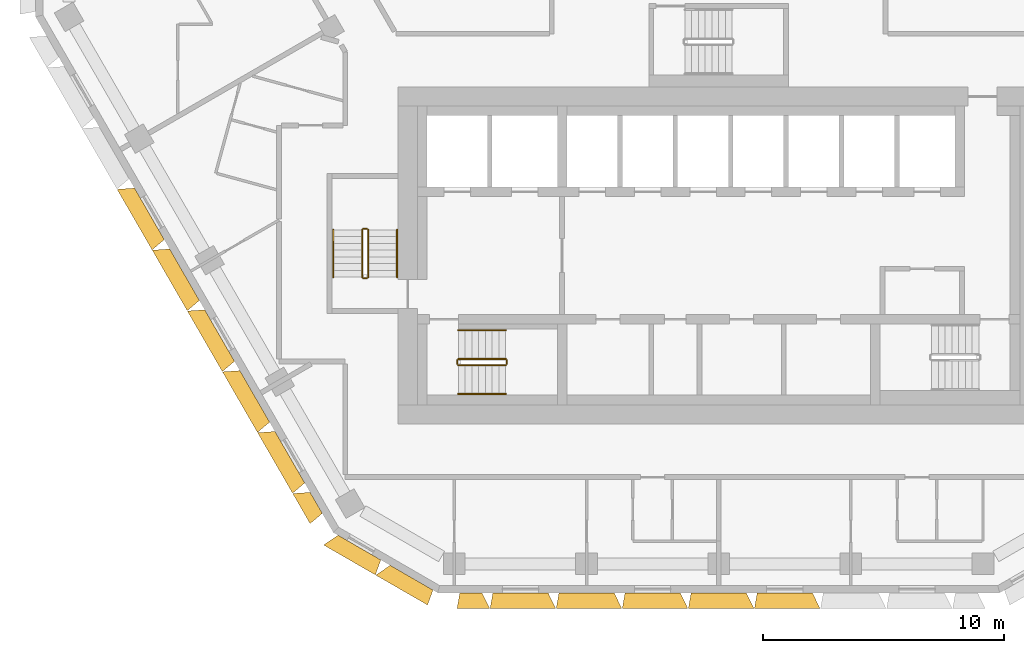
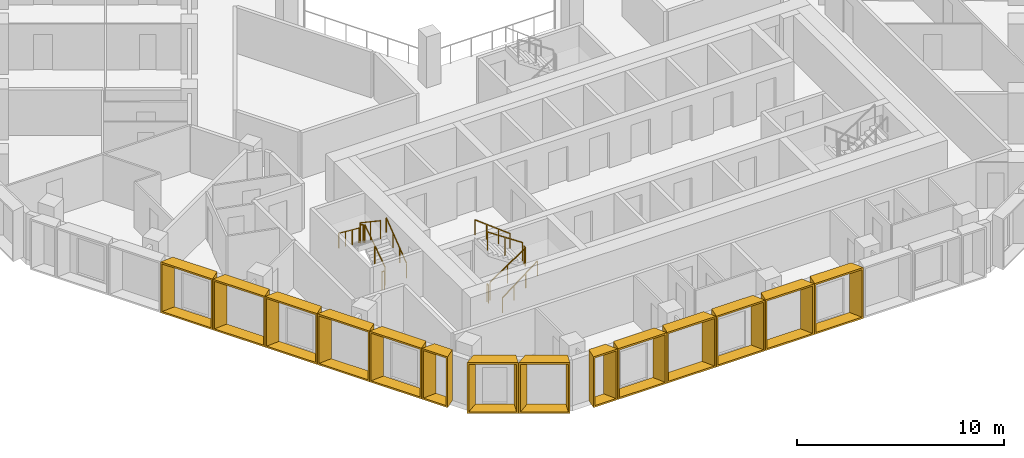
# One storey, part 12 of 15: 14 shading devices, 12 railings.
"""IFC4 building model written with IfcOpenShell, lengths in metres."""

from ifc_helpers import new_model, entity, si_unit, direction, frame, origin, origin_2d, place, context, subcontext, project, spatial, rectangle, extrude, source, transform, mapped, material, type_object, type_shapes, element, save


model = new_model("IFC4")

# Units and contexts
model_context = context("Model", 3, precision=1e-05, world=origin(), true_north=direction((0.0, 1.0)))
body_context = subcontext(model_context, "Body", "Model", "MODEL_VIEW")
ifc_project = project(units=[si_unit("LENGTHUNIT", "METRE"), si_unit("AREAUNIT", "SQUARE_METRE"), si_unit("VOLUMEUNIT", "CUBIC_METRE"), si_unit("PLANEANGLEUNIT", "RADIAN"), si_unit("MASSUNIT", "GRAM", prefix="KILO")], contexts=[model_context])

# Site, building, storey
site_placement = place(None, origin())
site = spatial("IfcSite", under=ifc_project, at=site_placement, CompositionType="ELEMENT")
building_placement = place(site_placement, origin())
building = spatial("IfcBuilding", under=site, at=building_placement, Name="Beryl Residences", CompositionType="ELEMENT")
storey_placement = place(building_placement, frame((0.0, 0.0, 129.60009765625)))
storey = spatial("IfcBuildingStorey", under=building, at=storey_placement, Name="L39", CompositionType="ELEMENT", Elevation=129.60009765625)

# Shading devices
ifc_material_1 = material(Name="Aluminium pale anodised", Category="aluminium")
shading_device_type_1 = type_object("IfcShadingDeviceType", Name="FR137-65C OUTER SKIN frame 650 mm deep, splay 10/26 deg, 1370 x 3000 mm cell", PredefinedType="USERDEFINED", material=ifc_material_1)
cartesian_point_1 = entity("IfcCartesianPoint", [-0.458984375, 0.0])
cartesian_point_2 = entity("IfcCartesianPoint", [-0.377685546875, 0.10009765625])
cartesian_point_3 = entity("IfcCartesianPoint", [-0.57373046875, 0.0])
cartesian_point_4 = entity("IfcCartesianPoint", [-0.492431640625, 0.10009765625])
shared_shape_1 = source(origin(), body_context, "Body", "SweptSolid", [
    entity("IfcExtrudedAreaSolidTapered", entity("IfcArbitraryProfileDefWithVoids", "AREA", None, entity("IfcPolyline", [cartesian_point_1, entity("IfcCartesianPoint", [0.458984375, 0.0]), entity("IfcCartesianPoint", [0.458984375, 3.0]), entity("IfcCartesianPoint", [-0.458984375, 3.0]), cartesian_point_1]), [entity("IfcPolyline", [cartesian_point_2, entity("IfcCartesianPoint", [0.369873046875, 0.10009765625]), entity("IfcCartesianPoint", [0.369873046875, 2.89990234375]), entity("IfcCartesianPoint", [-0.377685546875, 2.89990234375]), cartesian_point_2])]), entity("IfcAxis2Placement3D", entity("IfcCartesianPoint", [0.0, 0.0, 0.0]), entity("IfcDirection", [0.0, 1.0, 0.0]), entity("IfcDirection", [-1.0, 0.0, 0.0])), entity("IfcDirection", [0.0, 0.0, 1.0]), 0.64990234375, entity("IfcArbitraryProfileDefWithVoids", "AREA", None, entity("IfcPolyline", [cartesian_point_3, entity("IfcCartesianPoint", [0.776123046875, 0.0]), entity("IfcCartesianPoint", [0.776123046875, 3.0]), entity("IfcCartesianPoint", [-0.57373046875, 3.0]), cartesian_point_3]), [entity("IfcPolyline", [cartesian_point_4, entity("IfcCartesianPoint", [0.68701171875, 0.10009765625]), entity("IfcCartesianPoint", [0.68701171875, 2.89990234375]), entity("IfcCartesianPoint", [-0.492431640625, 2.89990234375]), cartesian_point_4])])),
])
type_shapes(shading_device_type_1, [shared_shape_1])
shading_device_1_placement = place(storey_placement, frame((-10.282958984375, -26.0, 0.0), z_axis=(0.0, 0.0, 1.0), x_axis=(-1.0, 0.0, 0.0)))
element("IfcShadingDevice", 1, at=shading_device_1_placement, inside=storey, type_object=shading_device_type_1, Name="FR137-65C frame L39 S 1", ObjectType="OUTER SKIN", PredefinedType="USERDEFINED", context=body_context, shape_type="MappedRepresentation", body=[
    mapped(shared_shape_1, transform((0.0, 0.0, 0.0))),
])
ifc_material_2 = material(Name="Aluminium pale anodised", Category="aluminium")
shading_device_type_2 = type_object("IfcShadingDeviceType", Name="FR146-65B OUTER SKIN frame 650 mm deep, splay 26/10 deg, 1460 x 3000 mm cell", PredefinedType="USERDEFINED", material=ifc_material_2)
cartesian_point_5 = entity("IfcCartesianPoint", [-0.50390625, 0.0])
cartesian_point_6 = entity("IfcCartesianPoint", [-0.4150390625, 0.10009765625])
cartesian_point_7 = entity("IfcCartesianPoint", [-0.821044921875, 0.0])
cartesian_point_8 = entity("IfcCartesianPoint", [-0.73193359375, 0.10009765625])
shared_shape_2 = source(origin(), body_context, "Body", "SweptSolid", [
    entity("IfcExtrudedAreaSolidTapered", entity("IfcArbitraryProfileDefWithVoids", "AREA", None, entity("IfcPolyline", [cartesian_point_5, entity("IfcCartesianPoint", [0.50390625, 0.0]), entity("IfcCartesianPoint", [0.50390625, 3.0]), entity("IfcCartesianPoint", [-0.50390625, 3.0]), cartesian_point_5]), [entity("IfcPolyline", [cartesian_point_6, entity("IfcCartesianPoint", [0.4228515625, 0.10009765625]), entity("IfcCartesianPoint", [0.4228515625, 2.89990234375]), entity("IfcCartesianPoint", [-0.4150390625, 2.89990234375]), cartesian_point_6])]), entity("IfcAxis2Placement3D", entity("IfcCartesianPoint", [0.0, 0.0, 0.0]), entity("IfcDirection", [0.0, 1.0, 0.0]), entity("IfcDirection", [-1.0, 0.0, 0.0])), entity("IfcDirection", [0.0, 0.0, 1.0]), 0.64990234375, entity("IfcArbitraryProfileDefWithVoids", "AREA", None, entity("IfcPolyline", [cartesian_point_7, entity("IfcCartesianPoint", [0.61865234375, 0.0]), entity("IfcCartesianPoint", [0.61865234375, 3.0]), entity("IfcCartesianPoint", [-0.821044921875, 3.0]), cartesian_point_7]), [entity("IfcPolyline", [cartesian_point_8, entity("IfcCartesianPoint", [0.537353515625, 0.10009765625]), entity("IfcCartesianPoint", [0.537353515625, 2.89990234375]), entity("IfcCartesianPoint", [-0.73193359375, 2.89990234375]), cartesian_point_8])])),
])
type_shapes(shading_device_type_2, [shared_shape_2])
shading_device_2_placement = place(storey_placement, frame((-16.7041015625, -22.26806640625, 0.0), z_axis=(0.0, 0.0, 1.0), x_axis=(-0.5, 0.866025403784, 0.0)))
element("IfcShadingDevice", 2, at=shading_device_2_placement, inside=storey, type_object=shading_device_type_2, Name="FR146-65B frame L39 SW 9", ObjectType="OUTER SKIN", PredefinedType="USERDEFINED", context=body_context, shape_type="MappedRepresentation", body=[
    mapped(shared_shape_2, transform((0.0, 0.0, 0.0))),
])
ifc_material_3 = material(Name="Aluminium pale anodised", Category="aluminium")
shading_device_type_3 = type_object("IfcShadingDeviceType", Name="FR250-65B OUTER SKIN frame 650 mm deep, splay 26/10 deg, 2500 x 3000 mm cell", PredefinedType="USERDEFINED", material=ifc_material_3)
cartesian_point_9 = entity("IfcCartesianPoint", [-1.02392578125, 0.0])
cartesian_point_10 = entity("IfcCartesianPoint", [-0.93505859375, 0.10009765625])
cartesian_point_11 = entity("IfcCartesianPoint", [-1.341064453125, 0.0])
cartesian_point_12 = entity("IfcCartesianPoint", [-1.251953125, 0.10009765625])
shared_shape_3 = source(origin(), body_context, "Body", "SweptSolid", [
    entity("IfcExtrudedAreaSolidTapered", entity("IfcArbitraryProfileDefWithVoids", "AREA", None, entity("IfcPolyline", [cartesian_point_9, entity("IfcCartesianPoint", [1.02392578125, 0.0]), entity("IfcCartesianPoint", [1.02392578125, 3.0]), entity("IfcCartesianPoint", [-1.02392578125, 3.0]), cartesian_point_9]), [entity("IfcPolyline", [cartesian_point_10, entity("IfcCartesianPoint", [0.94287109375, 0.10009765625]), entity("IfcCartesianPoint", [0.94287109375, 2.89990234375]), entity("IfcCartesianPoint", [-0.93505859375, 2.89990234375]), cartesian_point_10])]), entity("IfcAxis2Placement3D", entity("IfcCartesianPoint", [0.0, 0.0, 0.0]), entity("IfcDirection", [0.0, 1.0, 0.0]), entity("IfcDirection", [-1.0, 0.0, 0.0])), entity("IfcDirection", [0.0, 0.0, 1.0]), 0.64990234375, entity("IfcArbitraryProfileDefWithVoids", "AREA", None, entity("IfcPolyline", [cartesian_point_11, entity("IfcCartesianPoint", [1.138671875, 0.0]), entity("IfcCartesianPoint", [1.138671875, 3.0]), entity("IfcCartesianPoint", [-1.341064453125, 3.0]), cartesian_point_11]), [entity("IfcPolyline", [cartesian_point_12, entity("IfcCartesianPoint", [1.057373046875, 0.10009765625]), entity("IfcCartesianPoint", [1.057373046875, 2.89990234375]), entity("IfcCartesianPoint", [-1.251953125, 2.89990234375]), cartesian_point_12])])),
])
type_shapes(shading_device_type_3, [shared_shape_3])
for number, where, z_axis, x_axis, name in (
    (3, (-14.909912109375, -24.125, 0.0), (0.0, 0.0, 1.0), (-0.866025403784, 0.5, 0.0), "FR250-65B frame L39 SW-S 1"),
    (4, (-12.7451171875, -25.375, 0.0), (0.0, 0.0, 1.0), (-0.866025403784, 0.5, 0.0), "FR250-65B frame L39 SW-S 2"),
):
    element("IfcShadingDevice", number, at=place(storey_placement, frame(where, z_axis=z_axis, x_axis=x_axis)), inside=storey, type_object=shading_device_type_3, Name=name, ObjectType="OUTER SKIN", PredefinedType="USERDEFINED", context=body_context, shape_type="MappedRepresentation", body=[
        mapped(shared_shape_3, transform((0.0, 0.0, 0.0))),
    ])
ifc_material_4 = material(Name="Aluminium pale anodised", Category="aluminium")
shading_device_type_4 = type_object("IfcShadingDeviceType", Name="FR274-65C OUTER SKIN frame 650 mm deep, splay 10/26 deg, 2740 x 3000 mm cell", PredefinedType="USERDEFINED", material=ifc_material_4)
cartesian_point_13 = entity("IfcCartesianPoint", [-1.14404296875, 0.0])
cartesian_point_14 = entity("IfcCartesianPoint", [-1.062744140625, 0.10009765625])
cartesian_point_15 = entity("IfcCartesianPoint", [-1.258544921875, 0.0])
cartesian_point_16 = entity("IfcCartesianPoint", [-1.177490234375, 0.10009765625])
shared_shape_4 = source(origin(), body_context, "Body", "SweptSolid", [
    entity("IfcExtrudedAreaSolidTapered", entity("IfcArbitraryProfileDefWithVoids", "AREA", None, entity("IfcPolyline", [cartesian_point_13, entity("IfcCartesianPoint", [1.14404296875, 0.0]), entity("IfcCartesianPoint", [1.14404296875, 3.0]), entity("IfcCartesianPoint", [-1.14404296875, 3.0]), cartesian_point_13]), [entity("IfcPolyline", [cartesian_point_14, entity("IfcCartesianPoint", [1.054931640625, 0.10009765625]), entity("IfcCartesianPoint", [1.054931640625, 2.89990234375]), entity("IfcCartesianPoint", [-1.062744140625, 2.89990234375]), cartesian_point_14])]), entity("IfcAxis2Placement3D", entity("IfcCartesianPoint", [0.0, 0.0, 0.0]), entity("IfcDirection", [0.0, 1.0, 0.0]), entity("IfcDirection", [-1.0, 0.0, 0.0])), entity("IfcDirection", [0.0, 0.0, 1.0]), 0.64990234375, entity("IfcArbitraryProfileDefWithVoids", "AREA", None, entity("IfcPolyline", [cartesian_point_15, entity("IfcCartesianPoint", [1.4609375, 0.0]), entity("IfcCartesianPoint", [1.4609375, 3.0]), entity("IfcCartesianPoint", [-1.258544921875, 3.0]), cartesian_point_15]), [entity("IfcPolyline", [cartesian_point_16, entity("IfcCartesianPoint", [1.3720703125, 0.10009765625]), entity("IfcCartesianPoint", [1.3720703125, 2.89990234375]), entity("IfcCartesianPoint", [-1.177490234375, 2.89990234375]), cartesian_point_16])])),
])
type_shapes(shading_device_type_4, [shared_shape_4])
for number, where, z_axis, x_axis, name in (
    (5, (-8.22607421875, -26.0, 0.0), (0.0, 0.0, 1.0), (-1.0, 0.0, 0.0), "FR274-65C frame L39 S 2"),
    (6, (-5.48388671875, -26.0, 0.0), (0.0, 0.0, 1.0), (-1.0, 0.0, 0.0), "FR274-65C frame L39 S 3"),
    (7, (-2.741943359375, -26.0, 0.0), (0.0, 0.0, 1.0), (-1.0, 0.0, 0.0), "FR274-65C frame L39 S 4"),
    (8, (0.0009765625, -26.0, 0.0), (0.0, 0.0, 1.0), (-1.0, 0.0, 0.0), "FR274-65C frame L39 S 5"),
    (9, (2.743896484375, -26.0, 0.0), (0.0, 0.0, 1.0), (-1.0, 0.0, 0.0), "FR274-65C frame L39 S 6"),
):
    element("IfcShadingDevice", number, at=place(storey_placement, frame(where, z_axis=z_axis, x_axis=x_axis)), inside=storey, type_object=shading_device_type_4, Name=name, ObjectType="OUTER SKIN", PredefinedType="USERDEFINED", context=body_context, shape_type="MappedRepresentation", body=[
        mapped(shared_shape_4, transform((0.0, 0.0, 0.0))),
    ])
ifc_material_5 = material(Name="Aluminium pale anodised", Category="aluminium")
shading_device_type_5 = type_object("IfcShadingDeviceType", Name="FR292-65B OUTER SKIN frame 650 mm deep, splay 26/10 deg, 2920 x 3000 mm cell", PredefinedType="USERDEFINED", material=ifc_material_5)
cartesian_point_17 = entity("IfcCartesianPoint", [-1.23388671875, 0.0])
cartesian_point_18 = entity("IfcCartesianPoint", [-1.14501953125, 0.10009765625])
cartesian_point_19 = entity("IfcCartesianPoint", [-1.551025390625, 0.0])
cartesian_point_20 = entity("IfcCartesianPoint", [-1.4619140625, 0.10009765625])
shared_shape_5 = source(origin(), body_context, "Body", "SweptSolid", [
    entity("IfcExtrudedAreaSolidTapered", entity("IfcArbitraryProfileDefWithVoids", "AREA", None, entity("IfcPolyline", [cartesian_point_17, entity("IfcCartesianPoint", [1.23388671875, 0.0]), entity("IfcCartesianPoint", [1.23388671875, 3.0]), entity("IfcCartesianPoint", [-1.23388671875, 3.0]), cartesian_point_17]), [entity("IfcPolyline", [cartesian_point_18, entity("IfcCartesianPoint", [1.15283203125, 0.10009765625]), entity("IfcCartesianPoint", [1.15283203125, 2.89990234375]), entity("IfcCartesianPoint", [-1.14501953125, 2.89990234375]), cartesian_point_18])]), entity("IfcAxis2Placement3D", entity("IfcCartesianPoint", [0.0, 0.0, 0.0]), entity("IfcDirection", [0.0, 1.0, 0.0]), entity("IfcDirection", [-1.0, 0.0, 0.0])), entity("IfcDirection", [0.0, 0.0, 1.0]), 0.64990234375, entity("IfcArbitraryProfileDefWithVoids", "AREA", None, entity("IfcPolyline", [cartesian_point_19, entity("IfcCartesianPoint", [1.3486328125, 0.0]), entity("IfcCartesianPoint", [1.3486328125, 3.0]), entity("IfcCartesianPoint", [-1.551025390625, 3.0]), cartesian_point_19]), [entity("IfcPolyline", [cartesian_point_20, entity("IfcCartesianPoint", [1.267333984375, 0.10009765625]), entity("IfcCartesianPoint", [1.267333984375, 2.89990234375]), entity("IfcCartesianPoint", [-1.4619140625, 2.89990234375]), cartesian_point_20])])),
])
type_shapes(shading_device_type_5, [shared_shape_5])
for number, where, z_axis, x_axis, name in (
    (10, (-23.6279296875, -10.27392578125, 0.0), (0.0, 0.0, 1.0), (-0.5, 0.866025403784, 0.0), "FR292-65B frame L39 SW 4"),
    (11, (-22.169921875, -12.799072265625, 0.0), (0.0, 0.0, 1.0), (-0.5, 0.866025403784, 0.0), "FR292-65B frame L39 SW 5"),
    (12, (-20.712890625, -15.323974609375, 0.0), (0.0, 0.0, 1.0), (-0.5, 0.866025403784, 0.0), "FR292-65B frame L39 SW 6"),
    (13, (-19.2548828125, -17.84912109375, 0.0), (0.0, 0.0, 1.0), (-0.5, 0.866025403784, 0.0), "FR292-65B frame L39 SW 7"),
    (14, (-17.797119140625, -20.3740234375, 0.0), (0.0, 0.0, 1.0), (-0.5, 0.866025403784, 0.0), "FR292-65B frame L39 SW 8"),
):
    element("IfcShadingDevice", number, at=place(storey_placement, frame(where, z_axis=z_axis, x_axis=x_axis)), inside=storey, type_object=shading_device_type_5, Name=name, ObjectType="OUTER SKIN", PredefinedType="USERDEFINED", context=body_context, shape_type="MappedRepresentation", body=[
        mapped(shared_shape_5, transform((0.0, 0.0, 0.0))),
    ])

# Railings
ifc_material_6 = material(Name="Stainless steel balustrade with glass infill", Category="steel")
railing_type_1 = type_object("IfcRailingType", Name="SG1 stair guard 1100 mm", PredefinedType="GUARDRAIL", material=ifc_material_6)
railing_1_placement = place(storey_placement, frame((-10.800048828125, -16.550048828125, 0.1875)))
element("IfcRailing", 15, at=railing_1_placement, inside=storey, type_object=railing_type_1, Name="L39 ST-1 stair guard 1", PredefinedType="GUARDRAIL", context=body_context, shape_type="SweptSolid", body=[
    extrude(rectangle(XDim=0.048095703125, YDim=0.048095703125, at=origin_2d()), frame((0.0, 0.0, 1.076171875), z_axis=(0.830902050051, 0.0, 0.556418712142), x_axis=(0.0, 1.0, 0.0)), (0.0, 0.0, 1.0), 2.35888671875),
    extrude(rectangle(XDim=0.0419921875, YDim=0.0419921875, at=origin_2d()), origin(), (0.0, 0.0, 1.0), 1.052001953125),
    extrude(rectangle(XDim=0.0419921875, YDim=0.0419921875, at=origin_2d()), frame((0.97998046875, 0.0, 0.65625)), (0.0, 0.0, 1.0), 1.052001953125),
    extrude(rectangle(XDim=0.0419921875, YDim=0.0419921875, at=origin_2d()), frame((1.9599609375, 0.0, 1.3125)), (0.0, 0.0, 1.0), 1.052001953125),
])
railing_2_placement = place(storey_placement, frame((-8.7900390625, -16.5, 1.5)))
element("IfcRailing", 16, at=railing_2_placement, inside=storey, type_object=railing_type_1, Name="L39 ST-1 stair guard 2", PredefinedType="GUARDRAIL", context=body_context, shape_type="SweptSolid", body=[
    extrude(rectangle(XDim=0.048095703125, YDim=0.048095703125, at=origin_2d()), frame((0.0, 0.0, 1.076171875), z_axis=(0.0, 1.0, 0.0), x_axis=(-1.0, 0.0, 0.0)), (0.0, 0.0, 1.0), 0.14990234375),
    extrude(rectangle(XDim=0.0419921875, YDim=0.0419921875, at=origin_2d()), origin(), (0.0, 0.0, 1.0), 1.052001953125),
    extrude(rectangle(XDim=0.0419921875, YDim=0.0419921875, at=origin_2d()), frame((0.0, 0.14990234375, 0.0)), (0.0, 0.0, 1.0), 1.052001953125),
])
railing_3_placement = place(storey_placement, frame((-8.840087890625, -16.300048828125, 1.6875)))
element("IfcRailing", 17, at=railing_3_placement, inside=storey, type_object=railing_type_1, Name="L39 ST-1 stair guard 3", PredefinedType="GUARDRAIL", context=body_context, shape_type="SweptSolid", body=[
    extrude(rectangle(XDim=0.048095703125, YDim=0.048095703125, at=origin_2d()), frame((0.0, 0.0, 1.076171875), z_axis=(-0.830902050051, 0.0, 0.556418712142), x_axis=(0.0, -1.0, 0.0)), (0.0, 0.0, 1.0), 2.35888671875),
    extrude(rectangle(XDim=0.0419921875, YDim=0.0419921875, at=origin_2d()), origin(), (0.0, 0.0, 1.0), 1.052001953125),
    extrude(rectangle(XDim=0.0419921875, YDim=0.0419921875, at=origin_2d()), frame((-0.97998046875, 0.0, 0.65625)), (0.0, 0.0, 1.0), 1.052001953125),
    extrude(rectangle(XDim=0.0419921875, YDim=0.0419921875, at=origin_2d()), frame((-1.9599609375, 0.0, 1.3125)), (0.0, 0.0, 1.0), 1.052001953125),
])
railing_4_placement = place(storey_placement, frame((-10.85009765625, -16.5, 0.0)))
element("IfcRailing", 18, at=railing_4_placement, inside=storey, type_object=railing_type_1, Name="L39 ST-1 stair guard 4", PredefinedType="GUARDRAIL", context=body_context, shape_type="SweptSolid", body=[
    extrude(rectangle(XDim=0.048095703125, YDim=0.048095703125, at=origin_2d()), frame((0.0, 0.0, 1.076171875), z_axis=(0.0, 1.0, 0.0), x_axis=(-1.0, 0.0, 0.0)), (0.0, 0.0, 1.0), 0.14990234375),
    extrude(rectangle(XDim=0.0419921875, YDim=0.0419921875, at=origin_2d()), origin(), (0.0, 0.0, 1.0), 1.052001953125),
    extrude(rectangle(XDim=0.0419921875, YDim=0.0419921875, at=origin_2d()), frame((0.0, 0.14990234375, 0.0)), (0.0, 0.0, 1.0), 1.052001953125),
])
railing_5_placement = place(storey_placement, frame((-14.550048828125, -12.89990234375, 0.1875)))
element("IfcRailing", 19, at=railing_5_placement, inside=storey, type_object=railing_type_1, Name="L39 ST-2 stair guard 1", PredefinedType="GUARDRAIL", context=body_context, shape_type="SweptSolid", body=[
    extrude(rectangle(XDim=0.048095703125, YDim=0.048095703125, at=origin_2d()), frame((0.0, 0.0, 1.076171875), z_axis=(0.0, 0.830902050051, 0.556418712142), x_axis=(-1.0, 0.0, 0.0)), (0.0, 0.0, 1.0), 2.35888671875),
    extrude(rectangle(XDim=0.0419921875, YDim=0.0419921875, at=origin_2d()), origin(), (0.0, 0.0, 1.0), 1.052001953125),
    extrude(rectangle(XDim=0.0419921875, YDim=0.0419921875, at=origin_2d()), frame((0.0, 0.97998046875, 0.65625)), (0.0, 0.0, 1.0), 1.052001953125),
    extrude(rectangle(XDim=0.0419921875, YDim=0.0419921875, at=origin_2d()), frame((0.0, 1.9599609375, 1.3125)), (0.0, 0.0, 1.0), 1.052001953125),
])
railing_6_placement = place(storey_placement, frame((-14.60009765625, -10.889892578125, 1.5)))
element("IfcRailing", 20, at=railing_6_placement, inside=storey, type_object=railing_type_1, Name="L39 ST-2 stair guard 2", PredefinedType="GUARDRAIL", context=body_context, shape_type="SweptSolid", body=[
    extrude(rectangle(XDim=0.048095703125, YDim=0.048095703125, at=origin_2d()), frame((0.0, 0.0, 1.076171875), z_axis=(-1.0, 0.0, 0.0), x_axis=(0.0, -1.0, 0.0)), (0.0, 0.0, 1.0), 0.14990234375),
    extrude(rectangle(XDim=0.0419921875, YDim=0.0419921875, at=origin_2d()), origin(), (0.0, 0.0, 1.0), 1.052001953125),
    extrude(rectangle(XDim=0.0419921875, YDim=0.0419921875, at=origin_2d()), frame((-0.14990234375, 0.0, 0.0)), (0.0, 0.0, 1.0), 1.052001953125),
])
railing_7_placement = place(storey_placement, frame((-14.800048828125, -10.93994140625, 1.6875)))
element("IfcRailing", 21, at=railing_7_placement, inside=storey, type_object=railing_type_1, Name="L39 ST-2 stair guard 3", PredefinedType="GUARDRAIL", context=body_context, shape_type="SweptSolid", body=[
    extrude(rectangle(XDim=0.048095703125, YDim=0.048095703125, at=origin_2d()), frame((0.0, 0.0, 1.076171875), z_axis=(0.0, -0.830902050051, 0.556418712142), x_axis=(1.0, 0.0, 0.0)), (0.0, 0.0, 1.0), 2.35888671875),
    extrude(rectangle(XDim=0.0419921875, YDim=0.0419921875, at=origin_2d()), origin(), (0.0, 0.0, 1.0), 1.052001953125),
    extrude(rectangle(XDim=0.0419921875, YDim=0.0419921875, at=origin_2d()), frame((0.0, -0.97998046875, 0.65625)), (0.0, 0.0, 1.0), 1.052001953125),
    extrude(rectangle(XDim=0.0419921875, YDim=0.0419921875, at=origin_2d()), frame((0.0, -1.9599609375, 1.3125)), (0.0, 0.0, 1.0), 1.052001953125),
])
railing_8_placement = place(storey_placement, frame((-14.60009765625, -12.949951171875, 0.0)))
element("IfcRailing", 22, at=railing_8_placement, inside=storey, type_object=railing_type_1, Name="L39 ST-2 stair guard 4", PredefinedType="GUARDRAIL", context=body_context, shape_type="SweptSolid", body=[
    extrude(rectangle(XDim=0.048095703125, YDim=0.048095703125, at=origin_2d()), frame((0.0, 0.0, 1.076171875), z_axis=(-1.0, 0.0, 0.0), x_axis=(0.0, -1.0, 0.0)), (0.0, 0.0, 1.0), 0.14990234375),
    extrude(rectangle(XDim=0.0419921875, YDim=0.0419921875, at=origin_2d()), origin(), (0.0, 0.0, 1.0), 1.052001953125),
    extrude(rectangle(XDim=0.0419921875, YDim=0.0419921875, at=origin_2d()), frame((-0.14990234375, 0.0, 0.0)), (0.0, 0.0, 1.0), 1.052001953125),
])
ifc_material_7 = material(Name="Stainless steel handrail", Category="steel")
railing_type_2 = type_object("IfcRailingType", Name="SRL1 stair handrail 900 mm", PredefinedType="HANDRAIL", material=ifc_material_7)
railing_9_placement = place(storey_placement, frame((-10.800048828125, -17.75, 0.1875)))
element("IfcRailing", 23, at=railing_9_placement, inside=storey, type_object=railing_type_2, Name="L39 ST-1 stair handrail 1", PredefinedType="HANDRAIL", context=body_context, shape_type="SweptSolid", body=[
    extrude(rectangle(XDim=0.048095703125, YDim=0.048095703125, at=origin_2d()), frame((0.0, 0.0, 0.8759765625), z_axis=(0.794121922505, 0.0, 0.607758481798), x_axis=(0.0, 1.0, 0.0)), (0.0, 0.0, 1.0), 2.468017578125),
    extrude(rectangle(XDim=0.0419921875, YDim=0.0419921875, at=origin_2d()), origin(), (0.0, 0.0, 1.0), 0.851806640625),
    extrude(rectangle(XDim=0.0419921875, YDim=0.0419921875, at=origin_2d()), frame((0.6533203125, 0.0, 0.5)), (0.0, 0.0, 1.0), 0.851806640625),
    extrude(rectangle(XDim=0.0419921875, YDim=0.0419921875, at=origin_2d()), frame((1.306640625, 0.0, 1.0)), (0.0, 0.0, 1.0), 0.851806640625),
    extrude(rectangle(XDim=0.0419921875, YDim=0.0419921875, at=origin_2d()), frame((1.9599609375, 0.0, 1.5)), (0.0, 0.0, 1.0), 0.851806640625),
])
railing_10_placement = place(storey_placement, frame((-8.840087890625, -15.10009765625, 1.6875)))
element("IfcRailing", 24, at=railing_10_placement, inside=storey, type_object=railing_type_2, Name="L39 ST-1 stair handrail 2", PredefinedType="HANDRAIL", context=body_context, shape_type="SweptSolid", body=[
    extrude(rectangle(XDim=0.048095703125, YDim=0.048095703125, at=origin_2d()), frame((0.0, 0.0, 0.8759765625), z_axis=(-0.794121922505, 0.0, 0.607758481798), x_axis=(0.0, -1.0, 0.0)), (0.0, 0.0, 1.0), 2.468017578125),
    extrude(rectangle(XDim=0.0419921875, YDim=0.0419921875, at=origin_2d()), origin(), (0.0, 0.0, 1.0), 0.851806640625),
    extrude(rectangle(XDim=0.0419921875, YDim=0.0419921875, at=origin_2d()), frame((-0.6533203125, 0.0, 0.5)), (0.0, 0.0, 1.0), 0.851806640625),
    extrude(rectangle(XDim=0.0419921875, YDim=0.0419921875, at=origin_2d()), frame((-1.306640625, 0.0, 1.0)), (0.0, 0.0, 1.0), 0.851806640625),
    extrude(rectangle(XDim=0.0419921875, YDim=0.0419921875, at=origin_2d()), frame((-1.9599609375, 0.0, 1.5)), (0.0, 0.0, 1.0), 0.851806640625),
])
railing_11_placement = place(storey_placement, frame((-13.35009765625, -12.89990234375, 0.1875)))
element("IfcRailing", 25, at=railing_11_placement, inside=storey, type_object=railing_type_2, Name="L39 ST-2 stair handrail 1", PredefinedType="HANDRAIL", context=body_context, shape_type="SweptSolid", body=[
    extrude(rectangle(XDim=0.048095703125, YDim=0.048095703125, at=origin_2d()), frame((0.0, 0.0, 0.8759765625), z_axis=(0.0, 0.794121922505, 0.607758481798), x_axis=(-1.0, 0.0, 0.0)), (0.0, 0.0, 1.0), 2.468017578125),
    extrude(rectangle(XDim=0.0419921875, YDim=0.0419921875, at=origin_2d()), origin(), (0.0, 0.0, 1.0), 0.851806640625),
    extrude(rectangle(XDim=0.0419921875, YDim=0.0419921875, at=origin_2d()), frame((0.0, 0.6533203125, 0.5)), (0.0, 0.0, 1.0), 0.851806640625),
    extrude(rectangle(XDim=0.0419921875, YDim=0.0419921875, at=origin_2d()), frame((0.0, 1.306640625, 1.0)), (0.0, 0.0, 1.0), 0.851806640625),
    extrude(rectangle(XDim=0.0419921875, YDim=0.0419921875, at=origin_2d()), frame((0.0, 1.9599609375, 1.5)), (0.0, 0.0, 1.0), 0.851806640625),
])
railing_12_placement = place(storey_placement, frame((-16.0, -10.93994140625, 1.6875)))
element("IfcRailing", 26, at=railing_12_placement, inside=storey, type_object=railing_type_2, Name="L39 ST-2 stair handrail 2", PredefinedType="HANDRAIL", context=body_context, shape_type="SweptSolid", body=[
    extrude(rectangle(XDim=0.048095703125, YDim=0.048095703125, at=origin_2d()), frame((0.0, 0.0, 0.8759765625), z_axis=(0.0, -0.794121922505, 0.607758481798), x_axis=(1.0, 0.0, 0.0)), (0.0, 0.0, 1.0), 2.468017578125),
    extrude(rectangle(XDim=0.0419921875, YDim=0.0419921875, at=origin_2d()), origin(), (0.0, 0.0, 1.0), 0.851806640625),
    extrude(rectangle(XDim=0.0419921875, YDim=0.0419921875, at=origin_2d()), frame((0.0, -0.6533203125, 0.5)), (0.0, 0.0, 1.0), 0.851806640625),
    extrude(rectangle(XDim=0.0419921875, YDim=0.0419921875, at=origin_2d()), frame((0.0, -1.306640625, 1.0)), (0.0, 0.0, 1.0), 0.851806640625),
    extrude(rectangle(XDim=0.0419921875, YDim=0.0419921875, at=origin_2d()), frame((0.0, -1.9599609375, 1.5)), (0.0, 0.0, 1.0), 0.851806640625),
])

save(model, "model.ifc")
